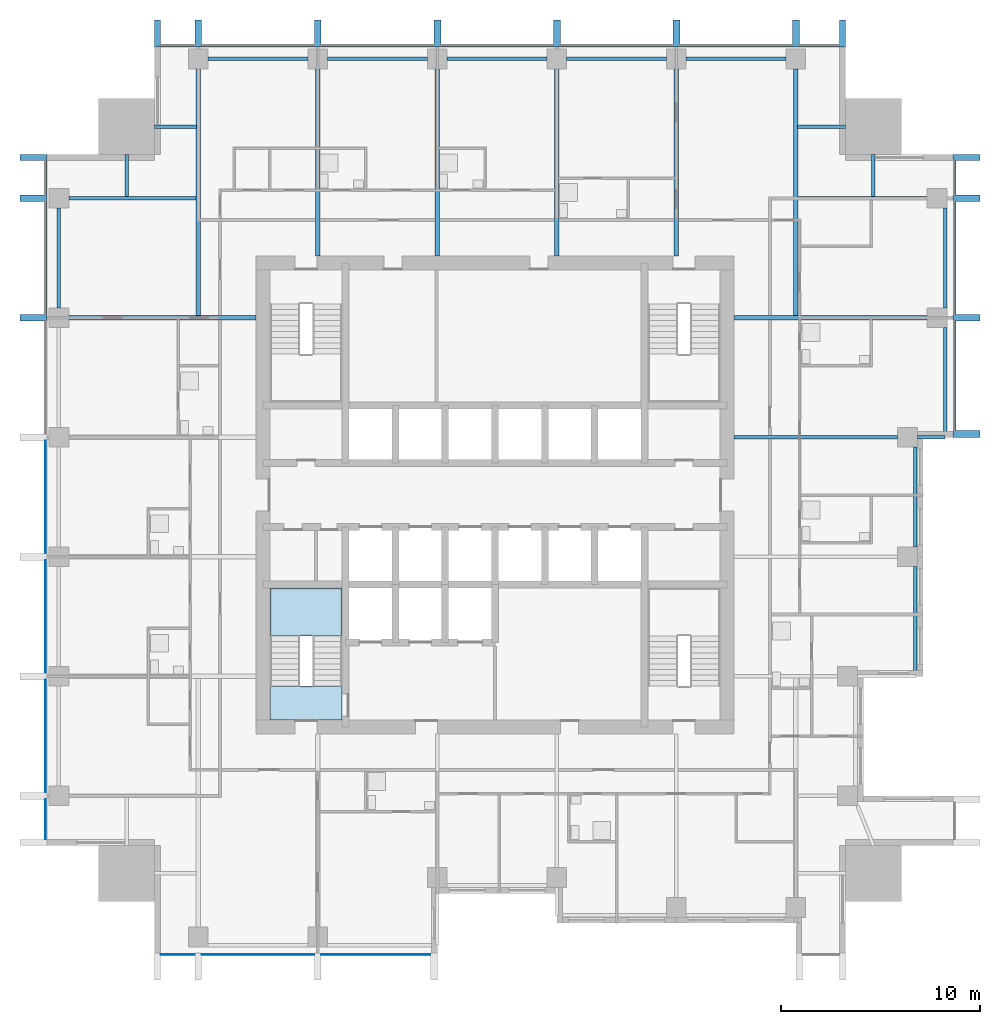
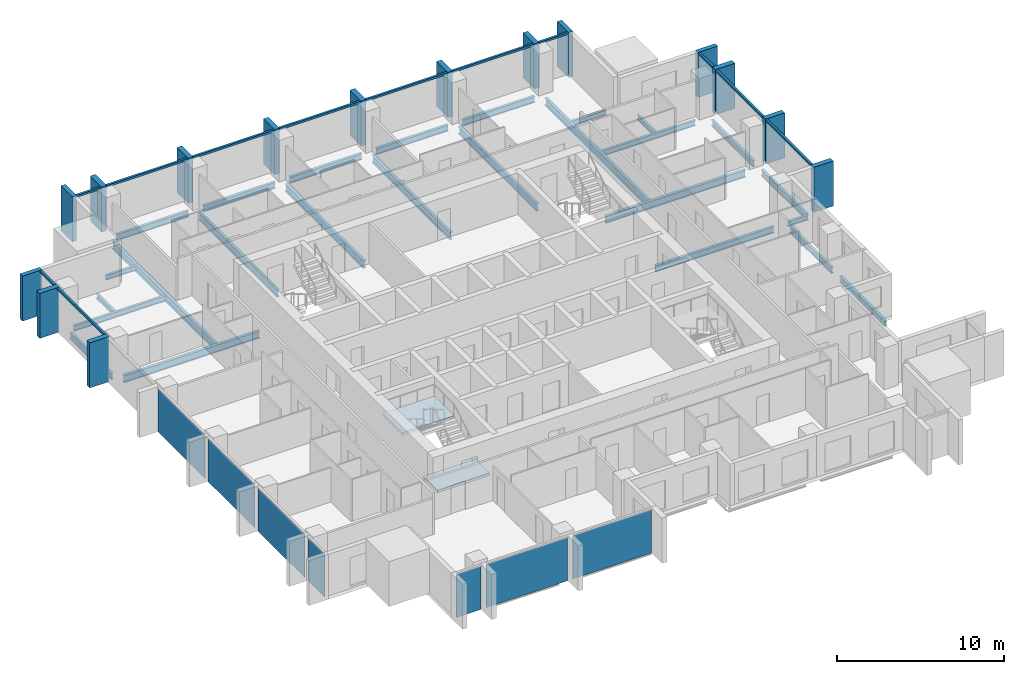
# One storey, part 2 of 10: 27 members, 26 beams, 7 plates, 2 slabs, 5 elements without a shape of their own.
"""IFC4 building model written with IfcOpenShell, lengths in metres."""

from ifc_helpers import new_model, si_unit, direction, frame, origin, origin_2d, place, context, subcontext, project, spatial, polyline, rectangle, i_section, outline, extrude, material, layer, layer_set, material_profile, profile_set, type_object, element, aggregate, save


model = new_model("IFC4")

# Units and contexts
model_context = context("Model", 3, precision=1e-05, world=origin(), true_north=direction((0.0, 1.0)))
body_context = subcontext(model_context, "Body", "Model", "MODEL_VIEW")
ifc_project = project(units=[si_unit("LENGTHUNIT", "METRE"), si_unit("AREAUNIT", "SQUARE_METRE"), si_unit("VOLUMEUNIT", "CUBIC_METRE"), si_unit("PLANEANGLEUNIT", "RADIAN"), si_unit("MASSUNIT", "GRAM", prefix="KILO")], contexts=[model_context])

# Site, building, storey
site_placement = place(None, origin())
site = spatial("IfcSite", under=ifc_project, at=site_placement, CompositionType="ELEMENT")
building_placement = place(site_placement, origin())
building = spatial("IfcBuilding", under=site, at=building_placement, Name="Amberfall Residences", CompositionType="ELEMENT")
storey_placement = place(building_placement, frame((0.0, 0.0, 137.199951171875)))
storey = spatial("IfcBuildingStorey", under=building, at=storey_placement, Name="L36", CompositionType="ELEMENT", Elevation=137.199951171875)

# Curtain wall, members
ifc_material_1 = material(Name="Bronze anodised aluminium and glass", Category="aluminium")
curtain_wall_type = type_object("IfcCurtainWallType", Name="Curtain wall CW1 tower unit", PredefinedType="USERDEFINED", material=ifc_material_1)
curtain_wall_1_placement = place(storey_placement, origin())
curtain_wall_1 = element("IfcCurtainWall", 1, at=curtain_wall_1_placement, inside=storey, type_object=curtain_wall_type, Name="Curtain wall L36 E E8", ObjectType="UNITISED CURTAIN WALL", PredefinedType="USERDEFINED")
ifc_material_2 = material(Name="Bronze anodised aluminium", Category="aluminium")
ifc_material_profile_1 = material_profile(ifc_material_2, rectangle(XDim=0.14990234375, YDim=0.14990234375, at=origin_2d()), Name="CW1 transom 150 x 150 bronze")
ifc_profile_set_1 = profile_set([ifc_material_profile_1], Name="Bronze anodised aluminium")
member_type_1 = type_object("IfcMemberType", Name="CW1 transom 150 x 150 bronze", PredefinedType="USERDEFINED", material=ifc_profile_set_1)
member_1_placement = place(storey_placement, frame((97.574951171875, 48.75, 2.97509765625), z_axis=(0.0, 1.0, 0.0), x_axis=(-1.0, 0.0, 0.0)))
member_1 = element("IfcMember", 2, at=member_1_placement, type_object=member_type_1, Name="CW1 transom 1.1", ObjectType="TRANSOM", PredefinedType="USERDEFINED", context=body_context, shape_type="SweptSolid", body=[
    extrude(rectangle(XDim=0.14990234375, YDim=0.14990234375, at=origin_2d()), origin(), (0.0, 0.0, 1.0), 5.47509765625),
])
member_2_placement = place(storey_placement, frame((97.574951171875, 54.574951171875, 2.97509765625), z_axis=(0.0, 1.0, 0.0), x_axis=(-1.0, 0.0, 0.0)))
member_2 = element("IfcMember", 3, at=member_2_placement, type_object=member_type_1, Name="CW1 transom 2.1", ObjectType="TRANSOM", PredefinedType="USERDEFINED", context=body_context, shape_type="SweptSolid", body=[
    extrude(rectangle(XDim=0.14990234375, YDim=0.14990234375, at=origin_2d()), origin(), (0.0, 0.0, 1.0), 5.650146484375),
])
member_3_placement = place(storey_placement, frame((97.574951171875, 60.574951171875, 2.97509765625), z_axis=(0.0, 1.0, 0.0), x_axis=(-1.0, 0.0, 0.0)))
member_3 = element("IfcMember", 4, at=member_3_placement, type_object=member_type_1, Name="CW1 transom 3.1", ObjectType="TRANSOM", PredefinedType="USERDEFINED", context=body_context, shape_type="SweptSolid", body=[
    extrude(rectangle(XDim=0.14990234375, YDim=0.14990234375, at=origin_2d()), origin(), (0.0, 0.0, 1.0), 1.72509765625),
])

curtain_wall_2_placement = place(storey_placement, origin())
curtain_wall_2 = element("IfcCurtainWall", 5, at=curtain_wall_2_placement, inside=storey, type_object=curtain_wall_type, Name="Curtain wall L36 N N1", ObjectType="UNITISED CURTAIN WALL", PredefinedType="USERDEFINED")
member_4_placement = place(storey_placement, frame((91.800048828125, 68.074951171875, 2.97509765625), z_axis=(-1.0, 0.0, 0.0), x_axis=(0.0, -1.0, 0.0)))
member_4 = element("IfcMember", 6, at=member_4_placement, type_object=member_type_1, Name="CW1 transom 1.1", ObjectType="TRANSOM", PredefinedType="USERDEFINED", context=body_context, shape_type="SweptSolid", body=[
    extrude(rectangle(XDim=0.14990234375, YDim=0.14990234375, at=origin_2d()), origin(), (0.0, 0.0, 1.0), 2.025146484375),
])
member_5_placement = place(storey_placement, frame((89.425048828125, 68.074951171875, 2.97509765625), z_axis=(-1.0, 0.0, 0.0), x_axis=(0.0, -1.0, 0.0)))
member_5 = element("IfcMember", 7, at=member_5_placement, type_object=member_type_1, Name="CW1 transom 2.1", ObjectType="TRANSOM", PredefinedType="USERDEFINED", context=body_context, shape_type="SweptSolid", body=[
    extrude(rectangle(XDim=0.14990234375, YDim=0.14990234375, at=origin_2d()), origin(), (0.0, 0.0, 1.0), 5.650146484375),
])
member_6_placement = place(storey_placement, frame((83.425048828125, 68.074951171875, 2.97509765625), z_axis=(-1.0, 0.0, 0.0), x_axis=(0.0, -1.0, 0.0)))
member_6 = element("IfcMember", 8, at=member_6_placement, type_object=member_type_1, Name="CW1 transom 3.1", ObjectType="TRANSOM", PredefinedType="USERDEFINED", context=body_context, shape_type="SweptSolid", body=[
    extrude(rectangle(XDim=0.14990234375, YDim=0.14990234375, at=origin_2d()), origin(), (0.0, 0.0, 1.0), 5.650146484375),
])
member_7_placement = place(storey_placement, frame((77.425048828125, 68.074951171875, 2.97509765625), z_axis=(-1.0, 0.0, 0.0), x_axis=(0.0, -1.0, 0.0)))
member_7 = element("IfcMember", 9, at=member_7_placement, type_object=member_type_1, Name="CW1 transom 4.1", ObjectType="TRANSOM", PredefinedType="USERDEFINED", context=body_context, shape_type="SweptSolid", body=[
    extrude(rectangle(XDim=0.14990234375, YDim=0.14990234375, at=origin_2d()), origin(), (0.0, 0.0, 1.0), 5.650146484375),
])
member_8_placement = place(storey_placement, frame((71.425048828125, 68.074951171875, 2.97509765625), z_axis=(-1.0, 0.0, 0.0), x_axis=(0.0, -1.0, 0.0)))
member_8 = element("IfcMember", 10, at=member_8_placement, type_object=member_type_1, Name="CW1 transom 5.1", ObjectType="TRANSOM", PredefinedType="USERDEFINED", context=body_context, shape_type="SweptSolid", body=[
    extrude(rectangle(XDim=0.14990234375, YDim=0.14990234375, at=origin_2d()), origin(), (0.0, 0.0, 1.0), 5.650146484375),
])
member_9_placement = place(storey_placement, frame((65.425048828125, 68.074951171875, 2.97509765625), z_axis=(-1.0, 0.0, 0.0), x_axis=(0.0, -1.0, 0.0)))
member_9 = element("IfcMember", 11, at=member_9_placement, type_object=member_type_1, Name="CW1 transom 6.1", ObjectType="TRANSOM", PredefinedType="USERDEFINED", context=body_context, shape_type="SweptSolid", body=[
    extrude(rectangle(XDim=0.14990234375, YDim=0.14990234375, at=origin_2d()), origin(), (0.0, 0.0, 1.0), 5.650146484375),
])
member_10_placement = place(storey_placement, frame((59.425048828125, 68.074951171875, 2.97509765625), z_axis=(-1.0, 0.0, 0.0), x_axis=(0.0, -1.0, 0.0)))
member_10 = element("IfcMember", 12, at=member_10_placement, type_object=member_type_1, Name="CW1 transom 7.1", ObjectType="TRANSOM", PredefinedType="USERDEFINED", context=body_context, shape_type="SweptSolid", body=[
    extrude(rectangle(XDim=0.14990234375, YDim=0.14990234375, at=origin_2d()), origin(), (0.0, 0.0, 1.0), 1.72509765625),
])

curtain_wall_3_placement = place(storey_placement, origin())
curtain_wall_3 = element("IfcCurtainWall", 13, at=curtain_wall_3_placement, inside=storey, type_object=curtain_wall_type, Name="Curtain wall L36 W W1", ObjectType="UNITISED CURTAIN WALL", PredefinedType="USERDEFINED")
member_11_placement = place(storey_placement, frame((51.925048828125, 62.300048828125, 2.97509765625), z_axis=(0.0, -1.0, 0.0), x_axis=(1.0, 0.0, 0.0)))
member_11 = element("IfcMember", 14, at=member_11_placement, type_object=member_type_1, Name="CW1 transom 1.1", ObjectType="TRANSOM", PredefinedType="USERDEFINED", context=body_context, shape_type="SweptSolid", body=[
    extrude(rectangle(XDim=0.14990234375, YDim=0.14990234375, at=origin_2d()), origin(), (0.0, 0.0, 1.0), 1.72509765625),
])
member_12_placement = place(storey_placement, frame((51.925048828125, 60.22509765625, 2.97509765625), z_axis=(0.0, -1.0, 0.0), x_axis=(1.0, 0.0, 0.0)))
member_12 = element("IfcMember", 15, at=member_12_placement, type_object=member_type_1, Name="CW1 transom 2.1", ObjectType="TRANSOM", PredefinedType="USERDEFINED", context=body_context, shape_type="SweptSolid", body=[
    extrude(rectangle(XDim=0.14990234375, YDim=0.14990234375, at=origin_2d()), origin(), (0.0, 0.0, 1.0), 5.650146484375),
])

# Beam
ifc_material_3 = material(Name="Steel S355", Category="steel")
ifc_material_profile_2 = material_profile(ifc_material_3, i_section(OverallWidth=0.171142578125, OverallDepth=0.351318359375, WebThickness=0.007080078125, FlangeThickness=0.009765625, FilletRadius=0.01025390625, at=origin_2d()), Name="UB 356x171x45")
ifc_profile_set_2 = profile_set([ifc_material_profile_2], Name="Steel S355")
beam_type_1 = type_object("IfcBeamType", Name="Cantilever girder UB 356x171x45", PredefinedType="BEAM", material=ifc_profile_set_2)
beam_1_placement = place(storey_placement, frame((95.699951171875, 48.39990234375, -0.425537109375), z_axis=(1.0, 0.0, 0.0), x_axis=(0.0, 1.0, 0.0)))
element("IfcBeam", 16, at=beam_1_placement, inside=storey, type_object=beam_type_1, Name="Cantilever girder B8 L36 20", PredefinedType="BEAM", context=body_context, shape_type="SweptSolid", body=[
    extrude(i_section(OverallWidth=0.171142578125, OverallDepth=0.351318359375, WebThickness=0.007080078125, FlangeThickness=0.009765625, FilletRadius=0.01025390625, at=origin_2d()), origin(), (0.0, 0.0, 1.0), 1.400146484375),
])

# Member
ifc_material_profile_3 = material_profile(ifc_material_2, rectangle(XDim=1.35009765625, YDim=0.300048828125, at=origin_2d()), Name="Corner fin 300 x 1350 bronze")
ifc_profile_set_3 = profile_set([ifc_material_profile_3], Name="Bronze anodised aluminium")
member_type_2 = type_object("IfcMemberType", Name="Corner fin 300 x 1350 bronze", PredefinedType="MULLION", material=ifc_profile_set_3)
member_13_placement = place(storey_placement, frame((98.175048828125, 62.449951171875, -0.25), z_axis=(0.0, 0.0, 1.0), x_axis=(-1.0, 0.0, 0.0)))
member_13 = element("IfcMember", 17, at=member_13_placement, type_object=member_type_2, Name="CW FIN 4", PredefinedType="MULLION", context=body_context, shape_type="SweptSolid", body=[
    extrude(rectangle(XDim=1.35009765625, YDim=0.300048828125, at=origin_2d()), origin(), (0.0, 0.0, 1.0), 3.300048828125),
])

member_14_placement = place(storey_placement, frame((91.949951171875, 68.675048828125, -0.25), z_axis=(0.0, 0.0, 1.0), x_axis=(0.0, -1.0, 0.0)))
member_14 = element("IfcMember", 18, at=member_14_placement, type_object=member_type_2, Name="CW FIN 1", PredefinedType="MULLION", context=body_context, shape_type="SweptSolid", body=[
    extrude(rectangle(XDim=1.35009765625, YDim=0.300048828125, at=origin_2d()), origin(), (0.0, 0.0, 1.0), 3.300048828125),
])

member_15_placement = place(storey_placement, frame((57.550048828125, 68.675048828125, -0.25), z_axis=(0.0, 0.0, 1.0), x_axis=(0.0, -1.0, 0.0)))
member_15 = element("IfcMember", 19, at=member_15_placement, type_object=member_type_2, Name="CW FIN 8", PredefinedType="MULLION", context=body_context, shape_type="SweptSolid", body=[
    extrude(rectangle(XDim=1.35009765625, YDim=0.300048828125, at=origin_2d()), origin(), (0.0, 0.0, 1.0), 3.300048828125),
])

member_16_placement = place(storey_placement, frame((51.324951171875, 62.449951171875, -0.25), z_axis=(0.0, 0.0, 1.0), x_axis=(1.0, 0.0, 0.0)))
member_16 = element("IfcMember", 20, at=member_16_placement, type_object=member_type_2, Name="CW FIN 1", PredefinedType="MULLION", context=body_context, shape_type="SweptSolid", body=[
    extrude(rectangle(XDim=1.35009765625, YDim=0.300048828125, at=origin_2d()), origin(), (0.0, 0.0, 1.0), 3.300048828125),
])

# Beams
ifc_material_profile_4 = material_profile(ifc_material_3, i_section(OverallWidth=0.18994140625, OverallDepth=0.453369140625, WebThickness=0.008544921875, FlangeThickness=0.0126953125, FilletRadius=0.01025390625, at=origin_2d()), Name="UB 457x191x67")
ifc_profile_set_4 = profile_set([ifc_material_profile_4], Name="Steel S355")
beam_type_2 = type_object("IfcBeamType", Name="Edge beam UB 457x191x67", PredefinedType="SPANDREL", material=ifc_profile_set_4)
beam_2_placement = place(storey_placement, frame((95.60009765625, 36.47998046875, -0.4765625), z_axis=(0.0, 1.0, 0.0), x_axis=(-1.0, 0.0, 0.0)))
element("IfcBeam", 21, at=beam_2_placement, inside=storey, type_object=beam_type_2, Name="Edge beam B1 L36 15", PredefinedType="SPANDREL", context=body_context, shape_type="SweptSolid", body=[
    extrude(i_section(OverallWidth=0.18994140625, OverallDepth=0.453369140625, WebThickness=0.008544921875, FlangeThickness=0.0126953125, FilletRadius=0.01025390625, at=origin_2d()), origin(), (0.0, 0.0, 1.0), 5.419921875),
])
beam_3_placement = place(storey_placement, frame((95.60009765625, 42.89990234375, -0.4765625), z_axis=(0.0, 1.0, 0.0), x_axis=(-1.0, 0.0, 0.0)))
element("IfcBeam", 22, at=beam_3_placement, inside=storey, type_object=beam_type_2, Name="Edge beam B1 L36 16", PredefinedType="SPANDREL", context=body_context, shape_type="SweptSolid", body=[
    extrude(i_section(OverallWidth=0.18994140625, OverallDepth=0.453369140625, WebThickness=0.008544921875, FlangeThickness=0.0126953125, FilletRadius=0.01025390625, at=origin_2d()), origin(), (0.0, 0.0, 1.0), 5.0),
])
beam_4_placement = place(storey_placement, frame((97.10009765625, 48.47998046875, -0.4765625), z_axis=(0.0, 1.0, 0.0), x_axis=(-1.0, 0.0, 0.0)))
element("IfcBeam", 23, at=beam_4_placement, inside=storey, type_object=beam_type_2, Name="Edge beam B1 L36 17", PredefinedType="SPANDREL", context=body_context, shape_type="SweptSolid", body=[
    extrude(i_section(OverallWidth=0.18994140625, OverallDepth=0.453369140625, WebThickness=0.008544921875, FlangeThickness=0.0126953125, FilletRadius=0.01025390625, at=origin_2d()), origin(), (0.0, 0.0, 1.0), 5.419921875),
])
for number, where, z_axis, x_axis, name in (
    (24, (97.10009765625, 54.89990234375, -0.4765625), (0.0, 1.0, 0.0), (-1.0, 0.0, 0.0), "Edge beam B1 L36 18"),
    (25, (60.10009765625, 67.39990234375, -0.4765625), (1.0, 0.0, 0.0), (0.0, 1.0, 0.0), "Edge beam B1 L36 27"),
    (26, (66.10009765625, 67.39990234375, -0.4765625), (1.0, 0.0, 0.0), (0.0, 1.0, 0.0), "Edge beam B1 L36 28"),
    (27, (72.10009765625, 67.39990234375, -0.4765625), (1.0, 0.0, 0.0), (0.0, 1.0, 0.0), "Edge beam B1 L36 29"),
    (28, (78.10009765625, 67.39990234375, -0.4765625), (1.0, 0.0, 0.0), (0.0, 1.0, 0.0), "Edge beam B1 L36 30"),
    (29, (84.10009765625, 67.39990234375, -0.4765625), (1.0, 0.0, 0.0), (0.0, 1.0, 0.0), "Edge beam B1 L36 31"),
    (30, (52.60009765625, 54.89990234375, -0.4765625), (0.0, 1.0, 0.0), (-1.0, 0.0, 0.0), "Edge beam B1 L36 42"),
):
    element("IfcBeam", number, at=place(storey_placement, frame(where, z_axis=z_axis, x_axis=x_axis)), inside=storey, type_object=beam_type_2, Name=name, PredefinedType="SPANDREL", context=body_context, shape_type="SweptSolid", body=[
        extrude(i_section(OverallWidth=0.18994140625, OverallDepth=0.453369140625, WebThickness=0.008544921875, FlangeThickness=0.0126953125, FilletRadius=0.01025390625, at=origin_2d()), origin(), (0.0, 0.0, 1.0), 5.0),
    ])

# Member
ifc_material_profile_5 = material_profile(ifc_material_2, rectangle(XDim=1.35009765625, YDim=0.35009765625, at=origin_2d()), Name="Fin 350 x 1350 bronze")
ifc_profile_set_5 = profile_set([ifc_material_profile_5], Name="Bronze anodised aluminium")
member_type_3 = type_object("IfcMemberType", Name="Fin 350 x 1350 bronze", PredefinedType="MULLION", material=ifc_profile_set_5)
member_17_placement = place(storey_placement, frame((98.175048828125, 48.574951171875, -0.25), z_axis=(0.0, 0.0, 1.0), x_axis=(-1.0, 0.0, 0.0)))
member_17 = element("IfcMember", 31, at=member_17_placement, type_object=member_type_3, Name="CW FIN 1", PredefinedType="MULLION", context=body_context, shape_type="SweptSolid", body=[
    extrude(rectangle(XDim=1.35009765625, YDim=0.35009765625, at=origin_2d()), origin(), (0.0, 0.0, 1.0), 3.300048828125),
])

member_18_placement = place(storey_placement, frame((98.175048828125, 54.39990234375, -0.25), z_axis=(0.0, 0.0, 1.0), x_axis=(-1.0, 0.0, 0.0)))
member_18 = element("IfcMember", 32, at=member_18_placement, type_object=member_type_3, Name="CW FIN 2", PredefinedType="MULLION", context=body_context, shape_type="SweptSolid", body=[
    extrude(rectangle(XDim=1.35009765625, YDim=0.35009765625, at=origin_2d()), origin(), (0.0, 0.0, 1.0), 3.300048828125),
])

member_19_placement = place(storey_placement, frame((98.175048828125, 60.39990234375, -0.25), z_axis=(0.0, 0.0, 1.0), x_axis=(-1.0, 0.0, 0.0)))
member_19 = element("IfcMember", 33, at=member_19_placement, type_object=member_type_3, Name="CW FIN 3", PredefinedType="MULLION", context=body_context, shape_type="SweptSolid", body=[
    extrude(rectangle(XDim=1.35009765625, YDim=0.35009765625, at=origin_2d()), origin(), (0.0, 0.0, 1.0), 3.300048828125),
])

aggregate(curtain_wall_1, [member_17, member_18, member_19, member_13, member_1, member_2, member_3])

member_20_placement = place(storey_placement, frame((89.60009765625, 68.675048828125, -0.25), z_axis=(0.0, 0.0, 1.0), x_axis=(0.0, -1.0, 0.0)))
member_20 = element("IfcMember", 34, at=member_20_placement, type_object=member_type_3, Name="CW FIN 2", PredefinedType="MULLION", context=body_context, shape_type="SweptSolid", body=[
    extrude(rectangle(XDim=1.35009765625, YDim=0.35009765625, at=origin_2d()), origin(), (0.0, 0.0, 1.0), 3.300048828125),
])

member_21_placement = place(storey_placement, frame((83.60009765625, 68.675048828125, -0.25), z_axis=(0.0, 0.0, 1.0), x_axis=(0.0, -1.0, 0.0)))
member_21 = element("IfcMember", 35, at=member_21_placement, type_object=member_type_3, Name="CW FIN 3", PredefinedType="MULLION", context=body_context, shape_type="SweptSolid", body=[
    extrude(rectangle(XDim=1.35009765625, YDim=0.35009765625, at=origin_2d()), origin(), (0.0, 0.0, 1.0), 3.300048828125),
])

member_22_placement = place(storey_placement, frame((77.60009765625, 68.675048828125, -0.25), z_axis=(0.0, 0.0, 1.0), x_axis=(0.0, -1.0, 0.0)))
member_22 = element("IfcMember", 36, at=member_22_placement, type_object=member_type_3, Name="CW FIN 4", PredefinedType="MULLION", context=body_context, shape_type="SweptSolid", body=[
    extrude(rectangle(XDim=1.35009765625, YDim=0.35009765625, at=origin_2d()), origin(), (0.0, 0.0, 1.0), 3.300048828125),
])

member_23_placement = place(storey_placement, frame((71.60009765625, 68.675048828125, -0.25), z_axis=(0.0, 0.0, 1.0), x_axis=(0.0, -1.0, 0.0)))
member_23 = element("IfcMember", 37, at=member_23_placement, type_object=member_type_3, Name="CW FIN 5", PredefinedType="MULLION", context=body_context, shape_type="SweptSolid", body=[
    extrude(rectangle(XDim=1.35009765625, YDim=0.35009765625, at=origin_2d()), origin(), (0.0, 0.0, 1.0), 3.300048828125),
])

member_24_placement = place(storey_placement, frame((65.60009765625, 68.675048828125, -0.25), z_axis=(0.0, 0.0, 1.0), x_axis=(0.0, -1.0, 0.0)))
member_24 = element("IfcMember", 38, at=member_24_placement, type_object=member_type_3, Name="CW FIN 6", PredefinedType="MULLION", context=body_context, shape_type="SweptSolid", body=[
    extrude(rectangle(XDim=1.35009765625, YDim=0.35009765625, at=origin_2d()), origin(), (0.0, 0.0, 1.0), 3.300048828125),
])

member_25_placement = place(storey_placement, frame((59.60009765625, 68.675048828125, -0.25), z_axis=(0.0, 0.0, 1.0), x_axis=(0.0, -1.0, 0.0)))
member_25 = element("IfcMember", 39, at=member_25_placement, type_object=member_type_3, Name="CW FIN 7", PredefinedType="MULLION", context=body_context, shape_type="SweptSolid", body=[
    extrude(rectangle(XDim=1.35009765625, YDim=0.35009765625, at=origin_2d()), origin(), (0.0, 0.0, 1.0), 3.300048828125),
])

aggregate(curtain_wall_2, [member_14, member_20, member_21, member_22, member_23, member_24, member_25, member_15, member_4, member_5, member_6, member_7, member_8, member_9, member_10])

member_26_placement = place(storey_placement, frame((51.324951171875, 60.39990234375, -0.25), z_axis=(0.0, 0.0, 1.0), x_axis=(1.0, 0.0, 0.0)))
member_26 = element("IfcMember", 40, at=member_26_placement, type_object=member_type_3, Name="CW FIN 2", PredefinedType="MULLION", context=body_context, shape_type="SweptSolid", body=[
    extrude(rectangle(XDim=1.35009765625, YDim=0.35009765625, at=origin_2d()), origin(), (0.0, 0.0, 1.0), 3.300048828125),
])

member_27_placement = place(storey_placement, frame((51.324951171875, 54.39990234375, -0.25), z_axis=(0.0, 0.0, 1.0), x_axis=(1.0, 0.0, 0.0)))
member_27 = element("IfcMember", 41, at=member_27_placement, type_object=member_type_3, Name="CW FIN 3", PredefinedType="MULLION", context=body_context, shape_type="SweptSolid", body=[
    extrude(rectangle(XDim=1.35009765625, YDim=0.35009765625, at=origin_2d()), origin(), (0.0, 0.0, 1.0), 3.300048828125),
])

# Beams
ifc_material_profile_6 = material_profile(ifc_material_3, i_section(OverallWidth=0.177734375, OverallDepth=0.402587890625, WebThickness=0.0078125, FlangeThickness=0.010986328125, FilletRadius=0.01025390625, at=origin_2d()), Name="UB 406x178x54")
ifc_profile_set_6 = profile_set([ifc_material_profile_6], Name="Steel S355")
beam_type_3 = type_object("IfcBeamType", Name="Floor girder UB 406x178x54", PredefinedType="BEAM", material=ifc_profile_set_6)
beam_5_placement = place(storey_placement, frame((96.199951171875, 60.39990234375, -0.451171875), z_axis=(-1.0, 0.0, 0.0), x_axis=(0.0, -1.0, 0.0)))
element("IfcBeam", 42, at=beam_5_placement, inside=storey, type_object=beam_type_3, Name="Floor girder B4 L36 26", PredefinedType="BEAM", context=body_context, shape_type="SweptSolid", body=[
    extrude(i_section(OverallWidth=0.177734375, OverallDepth=0.402587890625, WebThickness=0.0078125, FlangeThickness=0.010986328125, FilletRadius=0.01025390625, at=origin_2d()), origin(), (0.0, 0.0, 1.0), 6.47998046875),
])
beam_6_placement = place(storey_placement, frame((53.10009765625, 60.39990234375, -0.451171875), z_axis=(1.0, 0.0, 0.0), x_axis=(0.0, 1.0, 0.0)))
element("IfcBeam", 43, at=beam_6_placement, inside=storey, type_object=beam_type_3, Name="Floor girder B4 L36 48", PredefinedType="BEAM", context=body_context, shape_type="SweptSolid", body=[
    extrude(i_section(OverallWidth=0.177734375, OverallDepth=0.402587890625, WebThickness=0.0078125, FlangeThickness=0.010986328125, FilletRadius=0.01025390625, at=origin_2d()), origin(), (0.0, 0.0, 1.0), 6.3798828125),
])
ifc_material_profile_7 = material_profile(ifc_material_3, i_section(OverallWidth=0.19140625, OverallDepth=0.4599609375, WebThickness=0.010009765625, FlangeThickness=0.01611328125, FilletRadius=0.01025390625, at=origin_2d()), Name="UB 457x191x82")
ifc_profile_set_7 = profile_set([ifc_material_profile_7], Name="Steel S355")
beam_type_4 = type_object("IfcBeamType", Name="Floor girder UB 457x191x82", PredefinedType="BEAM", material=ifc_profile_set_7)
beam_7_placement = place(storey_placement, frame((94.699951171875, 48.39990234375, -0.47998046875), z_axis=(-1.0, 0.0, 0.0), x_axis=(0.0, -1.0, 0.0)))
element("IfcBeam", 44, at=beam_7_placement, inside=storey, type_object=beam_type_4, Name="Floor girder B10 L36 24", PredefinedType="BEAM", context=body_context, shape_type="SweptSolid", body=[
    extrude(i_section(OverallWidth=0.19140625, OverallDepth=0.4599609375, WebThickness=0.010009765625, FlangeThickness=0.01611328125, FilletRadius=0.01025390625, at=origin_2d()), origin(), (0.0, 0.0, 1.0), 8.199951171875),
])
ifc_material_profile_8 = material_profile(ifc_material_3, i_section(OverallWidth=0.210693359375, OverallDepth=0.53955078125, WebThickness=0.01171875, FlangeThickness=0.018798828125, FilletRadius=0.0126953125, at=origin_2d()), Name="UB 533x210x109")
ifc_profile_set_8 = profile_set([ifc_material_profile_8], Name="Steel S355")
beam_type_5 = type_object("IfcBeamType", Name="Floor girder UB 533x210x109", PredefinedType="BEAM", material=ifc_profile_set_8)
for number, where, z_axis, x_axis, name in (
    (45, (59.60009765625, 66.89990234375, -0.519775390625), (0.0, -1.0, 0.0), (1.0, 0.0, 0.0), "Floor girder B2 L36 32"),
    (46, (89.60009765625, 66.89990234375, -0.519775390625), (0.0, -1.0, 0.0), (1.0, 0.0, 0.0), "Floor girder B2 L36 37"),
):
    element("IfcBeam", number, at=place(storey_placement, frame(where, z_axis=z_axis, x_axis=x_axis)), inside=storey, type_object=beam_type_5, Name=name, PredefinedType="BEAM", context=body_context, shape_type="SweptSolid", body=[
        extrude(i_section(OverallWidth=0.210693359375, OverallDepth=0.53955078125, WebThickness=0.01171875, FlangeThickness=0.018798828125, FilletRadius=0.0126953125, at=origin_2d()), origin(), (0.0, 0.0, 1.0), 12.400390625),
    ])
ifc_material_profile_9 = material_profile(ifc_material_3, i_section(OverallWidth=0.209228515625, OverallDepth=0.533203125, WebThickness=0.010009765625, FlangeThickness=0.015625, FilletRadius=0.0126953125, at=origin_2d()), Name="UB 533x210x92")
ifc_profile_set_9 = profile_set([ifc_material_profile_9], Name="Steel S355")
beam_type_6 = type_object("IfcBeamType", Name="Floor girder UB 533x210x92", PredefinedType="BEAM", material=ifc_profile_set_9)
beam_8_placement = place(storey_placement, frame((96.199951171875, 54.39990234375, -0.5166015625), z_axis=(-1.0, 0.0, 0.0), x_axis=(0.0, -1.0, 0.0)))
element("IfcBeam", 47, at=beam_8_placement, inside=storey, type_object=beam_type_6, Name="Floor girder B3 L36 25", PredefinedType="BEAM", context=body_context, shape_type="SweptSolid", body=[
    extrude(i_section(OverallWidth=0.209228515625, OverallDepth=0.533203125, WebThickness=0.010009765625, FlangeThickness=0.015625, FilletRadius=0.0126953125, at=origin_2d()), origin(), (0.0, 0.0, 1.0), 9.699951171875),
])
for number, where, z_axis, x_axis, name in (
    (48, (65.60009765625, 66.89990234375, -0.5166015625), (0.0, -1.0, 0.0), (1.0, 0.0, 0.0), "Floor girder B3 L36 33"),
    (49, (71.60009765625, 66.89990234375, -0.5166015625), (0.0, -1.0, 0.0), (1.0, 0.0, 0.0), "Floor girder B3 L36 34"),
    (50, (77.60009765625, 66.89990234375, -0.5166015625), (0.0, -1.0, 0.0), (1.0, 0.0, 0.0), "Floor girder B3 L36 35"),
    (51, (83.60009765625, 66.89990234375, -0.5166015625), (0.0, -1.0, 0.0), (1.0, 0.0, 0.0), "Floor girder B3 L36 36"),
    (52, (53.10009765625, 54.39990234375, -0.5166015625), (1.0, 0.0, 0.0), (0.0, 1.0, 0.0), "Floor girder B3 L36 47"),
):
    element("IfcBeam", number, at=place(storey_placement, frame(where, z_axis=z_axis, x_axis=x_axis)), inside=storey, type_object=beam_type_6, Name=name, PredefinedType="BEAM", context=body_context, shape_type="SweptSolid", body=[
        extrude(i_section(OverallWidth=0.209228515625, OverallDepth=0.533203125, WebThickness=0.010009765625, FlangeThickness=0.015625, FilletRadius=0.0126953125, at=origin_2d()), origin(), (0.0, 0.0, 1.0), 9.39990234375),
    ])
ifc_material_profile_10 = material_profile(ifc_material_3, i_section(OverallWidth=0.171142578125, OverallDepth=0.351318359375, WebThickness=0.007080078125, FlangeThickness=0.009765625, FilletRadius=0.01025390625, at=origin_2d()), Name="UB 356x171x45")
ifc_profile_set_10 = profile_set([ifc_material_profile_10], Name="Steel S355")
beam_type_7 = type_object("IfcBeamType", Name="Link beam UB 356x171x45", PredefinedType="BEAM", material=ifc_profile_set_10)
beam_9_placement = place(storey_placement, frame((92.10009765625, 64.0, -0.425537109375), z_axis=(-1.0, 0.0, 0.0), x_axis=(0.0, -1.0, 0.0)))
element("IfcBeam", 53, at=beam_9_placement, inside=storey, type_object=beam_type_7, Name="Link beam B7 L36 53", PredefinedType="BEAM", context=body_context, shape_type="SweptSolid", body=[
    extrude(i_section(OverallWidth=0.171142578125, OverallDepth=0.351318359375, WebThickness=0.007080078125, FlangeThickness=0.009765625, FilletRadius=0.01025390625, at=origin_2d()), origin(), (0.0, 0.0, 1.0), 2.40478515625),
])
beam_10_placement = place(storey_placement, frame((93.5, 62.60009765625, -0.425537109375), z_axis=(0.0, -1.0, 0.0), x_axis=(1.0, 0.0, 0.0)))
element("IfcBeam", 54, at=beam_10_placement, inside=storey, type_object=beam_type_7, Name="Link beam B7 L36 54", PredefinedType="BEAM", context=body_context, shape_type="SweptSolid", body=[
    extrude(i_section(OverallWidth=0.171142578125, OverallDepth=0.351318359375, WebThickness=0.007080078125, FlangeThickness=0.009765625, FilletRadius=0.01025390625, at=origin_2d()), origin(), (0.0, 0.0, 1.0), 2.12109375),
])
beam_11_placement = place(storey_placement, frame((57.39990234375, 64.0, -0.425537109375), z_axis=(1.0, 0.0, 0.0), x_axis=(0.0, 1.0, 0.0)))
element("IfcBeam", 55, at=beam_11_placement, inside=storey, type_object=beam_type_7, Name="Link beam B7 L36 55", PredefinedType="BEAM", context=body_context, shape_type="SweptSolid", body=[
    extrude(i_section(OverallWidth=0.171142578125, OverallDepth=0.351318359375, WebThickness=0.007080078125, FlangeThickness=0.009765625, FilletRadius=0.01025390625, at=origin_2d()), origin(), (0.0, 0.0, 1.0), 2.104736328125),
])
beam_12_placement = place(storey_placement, frame((56.0, 62.60009765625, -0.425537109375), z_axis=(0.0, -1.0, 0.0), x_axis=(1.0, 0.0, 0.0)))
element("IfcBeam", 56, at=beam_12_placement, inside=storey, type_object=beam_type_7, Name="Link beam B7 L36 56", PredefinedType="BEAM", context=body_context, shape_type="SweptSolid", body=[
    extrude(i_section(OverallWidth=0.171142578125, OverallDepth=0.351318359375, WebThickness=0.007080078125, FlangeThickness=0.009765625, FilletRadius=0.01025390625, at=origin_2d()), origin(), (0.0, 0.0, 1.0), 2.12109375),
])

# Curtain wall, plates
curtain_wall_4_placement = place(storey_placement, origin())
curtain_wall_4 = element("IfcCurtainWall", 57, at=curtain_wall_4_placement, inside=storey, type_object=curtain_wall_type, Name="Curtain wall L36 S S1", ObjectType="UNITISED CURTAIN WALL", PredefinedType="USERDEFINED")
ifc_material_4 = material(Name="Tinted double glazed unit", Category="glass")
ifc_layer_1 = layer(ifc_material_4, 0.035888671875)
ifc_layer_set_1 = layer_set([ifc_layer_1], Name="CW1 panel 36 glazing")
plate_type = type_object("IfcPlateType", Name="CW1 panel 36 glazing", PredefinedType="CURTAIN_PANEL", material=ifc_layer_set_1)
plate_1_placement = place(storey_placement, frame((58.5625, 22.425048828125, -0.25), z_axis=(0.0, 0.0, 1.0), x_axis=(1.0, 0.0, 0.0)))
plate_1 = element("IfcPlate", 58, at=plate_1_placement, type_object=plate_type, Name="CW1 panel 1.1", PredefinedType="CURTAIN_PANEL", context=body_context, shape_type="SweptSolid", body=[
    extrude(rectangle(XDim=1.700927734375, YDim=0.035888671875, at=origin_2d()), origin(), (0.0, 0.0, 1.0), 3.14990234375),
])
plate_2_placement = place(storey_placement, frame((62.60009765625, 22.425048828125, -0.25), z_axis=(0.0, 0.0, 1.0), x_axis=(1.0, 0.0, 0.0)))
plate_2 = element("IfcPlate", 59, at=plate_2_placement, type_object=plate_type, Name="CW1 panel 2.1", PredefinedType="CURTAIN_PANEL", context=body_context, shape_type="SweptSolid", body=[
    extrude(rectangle(XDim=5.6259765625, YDim=0.035888671875, at=origin_2d()), origin(), (0.0, 0.0, 1.0), 3.14990234375),
])
plate_3_placement = place(storey_placement, frame((68.512451171875, 22.425048828125, -0.25), z_axis=(0.0, 0.0, 1.0), x_axis=(1.0, 0.0, 0.0)))
plate_3 = element("IfcPlate", 60, at=plate_3_placement, type_object=plate_type, Name="CW1 panel 3.1", PredefinedType="CURTAIN_PANEL", context=body_context, shape_type="SweptSolid", body=[
    extrude(rectangle(XDim=5.450927734375, YDim=0.035888671875, at=origin_2d()), origin(), (0.0, 0.0, 1.0), 3.14990234375),
])
aggregate(curtain_wall_4, [plate_1, plate_2, plate_3])

# Plate
plate_4_placement = place(storey_placement, frame((51.925048828125, 45.39990234375, -0.25), z_axis=(0.0, 0.0, 1.0), x_axis=(0.0, -1.0, 0.0)))
plate_4 = element("IfcPlate", 61, at=plate_4_placement, type_object=plate_type, Name="CW1 panel 4.1", PredefinedType="CURTAIN_PANEL", context=body_context, shape_type="SweptSolid", body=[
    extrude(rectangle(XDim=5.6259765625, YDim=0.035888671875, at=origin_2d()), origin(), (0.0, 0.0, 1.0), 3.14990234375),
])

plate_5_placement = place(storey_placement, frame((51.925048828125, 39.39990234375, -0.25), z_axis=(0.0, 0.0, 1.0), x_axis=(0.0, -1.0, 0.0)))
plate_5 = element("IfcPlate", 62, at=plate_5_placement, type_object=plate_type, Name="CW1 panel 5.1", PredefinedType="CURTAIN_PANEL", context=body_context, shape_type="SweptSolid", body=[
    extrude(rectangle(XDim=5.6259765625, YDim=0.035888671875, at=origin_2d()), origin(), (0.0, 0.0, 1.0), 3.14990234375),
])

plate_6_placement = place(storey_placement, frame((51.925048828125, 33.39990234375, -0.25), z_axis=(0.0, 0.0, 1.0), x_axis=(0.0, -1.0, 0.0)))
plate_6 = element("IfcPlate", 63, at=plate_6_placement, type_object=plate_type, Name="CW1 panel 6.1", PredefinedType="CURTAIN_PANEL", context=body_context, shape_type="SweptSolid", body=[
    extrude(rectangle(XDim=5.6259765625, YDim=0.035888671875, at=origin_2d()), origin(), (0.0, 0.0, 1.0), 3.14990234375),
])

plate_7_placement = place(storey_placement, frame((51.925048828125, 29.21240234375, -0.25), z_axis=(0.0, 0.0, 1.0), x_axis=(0.0, -1.0, 0.0)))
plate_7 = element("IfcPlate", 64, at=plate_7_placement, type_object=plate_type, Name="CW1 panel 7.1", PredefinedType="CURTAIN_PANEL", context=body_context, shape_type="SweptSolid", body=[
    extrude(rectangle(XDim=2.0009765625, YDim=0.035888671875, at=origin_2d()), origin(), (0.0, 0.0, 1.0), 3.14990234375),
])

aggregate(curtain_wall_3, [member_16, member_26, member_27, member_11, member_12, plate_4, plate_5, plate_6, plate_7])

# Stair, slabs
ifc_material_5 = material(Name="Concrete C40", Category="concrete")
stair_type = type_object("IfcStairType", Name="Exit stair 20 risers 165.0 mm", PredefinedType="HALF_TURN_STAIR", material=ifc_material_5)
stair_placement = place(storey_placement, origin())
stair = element("IfcStair", 65, at=stair_placement, inside=storey, type_object=stair_type, Name="L36 Exit stair 1", PredefinedType="HALF_TURN_STAIR")
ifc_layer_2 = layer(ifc_material_5, 0.199951171875)
ifc_layer_set_2 = layer_set([ifc_layer_2], Name="Stair landing 200")
slab_type = type_object("IfcSlabType", Name="Stair landing 200", PredefinedType="LANDING", material=ifc_layer_set_2)
slab_1_placement = place(storey_placement, frame((0.0, 0.0, 1.449951171875)))
slab_1 = element("IfcSlab", 66, at=slab_1_placement, type_object=slab_type, Name="ST3 landing 1", PredefinedType="LANDING", context=body_context, shape_type="SweptSolid", body=[
    extrude(outline(polyline([(66.824951171875, 38.419921875), (66.824951171875, 40.824951171875), (63.199951171875, 40.824951171875), (63.199951171875, 38.419921875), (66.824951171875, 38.419921875)])), origin(), (0.0, 0.0, 1.0), 0.2001953125),
])
slab_2_placement = place(storey_placement, frame((0.0, 0.0, -0.199951171875)))
slab_2 = element("IfcSlab", 67, at=slab_2_placement, type_object=slab_type, Name="ST3 landing 2", PredefinedType="LANDING", context=body_context, shape_type="SweptSolid", body=[
    extrude(outline(polyline([(66.824951171875, 34.199951171875), (66.824951171875, 35.89990234375), (63.199951171875, 35.89990234375), (63.199951171875, 34.199951171875), (66.824951171875, 34.199951171875)])), origin(), (0.0, 0.0, 1.0), 0.199951171875),
])
aggregate(stair, [slab_1, slab_2])

save(model, "model.ifc")
